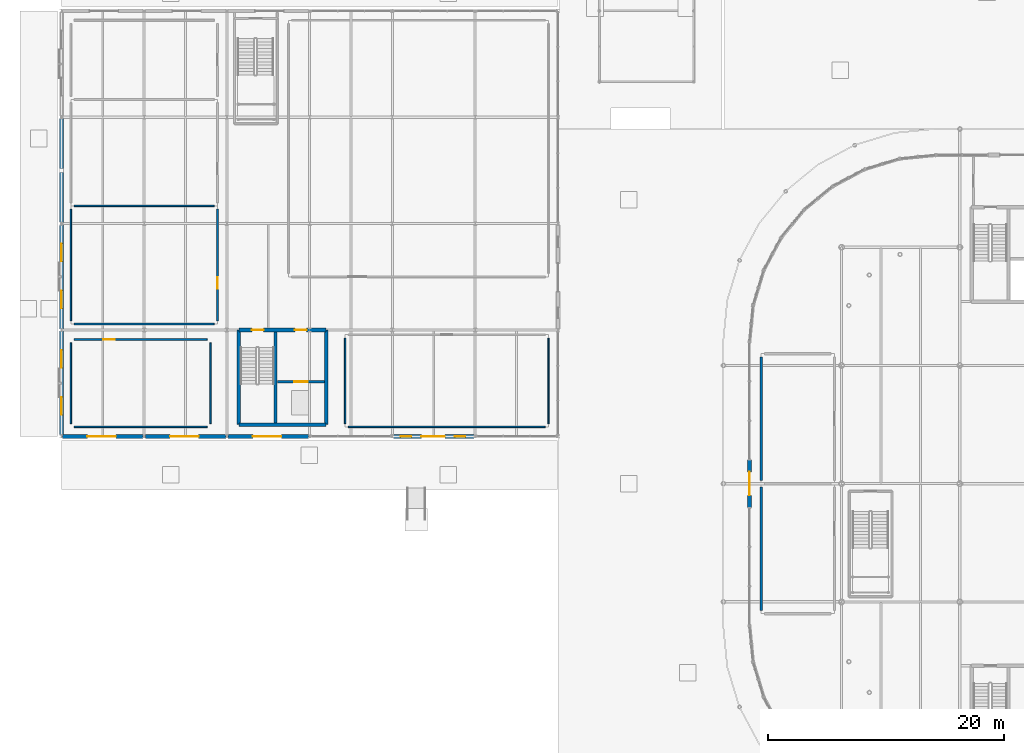
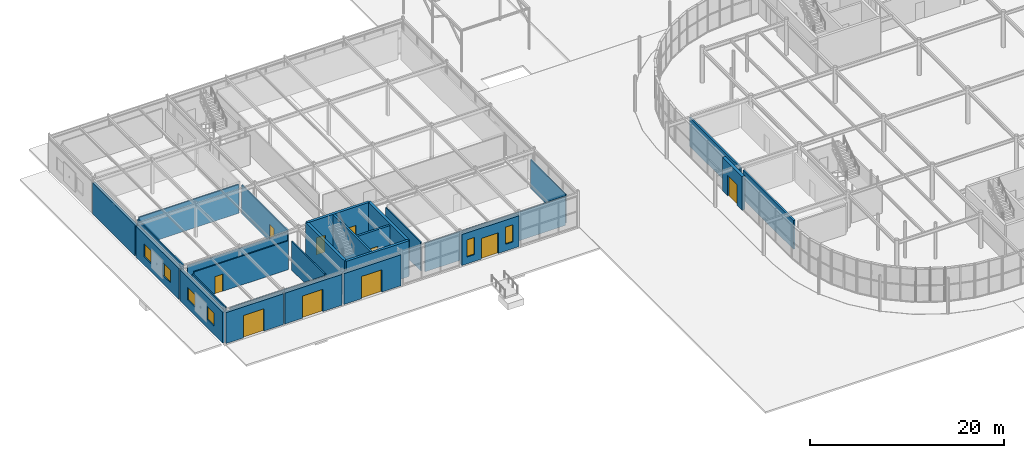
# One storey, part 86 of 119: 27 walls, 10 doors, 6 windows, 16 openings.
"""IFC4 building model written with IfcOpenShell, lengths in metres."""

from ifc_helpers import new_model, si_unit, derived_unit, direction, frame, frame_2d, origin, place, context, subcontext, project, spatial, rectangle, extrude, material, layer, layer_set, type_object, element, fill, save


model = new_model("IFC4")

# Units and contexts
model_context = context("Model", 3, precision=1e-05, world=origin(), true_north=direction((0.0, 1.0)))
body_context = subcontext(model_context, "Body", "Model", "MODEL_VIEW")
ifc_project = project(units=[si_unit("LENGTHUNIT", "METRE"), si_unit("AREAUNIT", "SQUARE_METRE"), si_unit("VOLUMEUNIT", "CUBIC_METRE"), si_unit("PLANEANGLEUNIT", "RADIAN"), si_unit("MASSUNIT", "GRAM", prefix="KILO"), derived_unit("THERMALTRANSMITTANCEUNIT", [(si_unit("POWERUNIT", "WATT"), 1), (si_unit("LENGTHUNIT", "METRE"), -2), (si_unit("THERMODYNAMICTEMPERATUREUNIT", "KELVIN"), -1)])], contexts=[model_context])

# Site, building, storey
site_placement = place(None, origin())
site = spatial("IfcSite", under=ifc_project, at=site_placement, CompositionType="ELEMENT")
building_placement = place(site_placement, origin())
building = spatial("IfcBuilding", under=site, at=building_placement, Name="Cinnabar Yard Market Hall", CompositionType="ELEMENT")
storey_placement = place(building_placement, origin())
storey = spatial("IfcBuildingStorey", under=building, at=storey_placement, Name="L00", CompositionType="ELEMENT", Elevation=0.0)

# Walls
ifc_material_1 = material(Name="Acoustic steel-stud plasterboard", Category="steel")
ifc_layer_1 = layer(ifc_material_1, 0.1201171875)
ifc_layer_set_1 = layer_set([ifc_layer_1], Name="Acoustic steel-stud plasterboard")
wall_type_1 = type_object("IfcWallType", Name="WL-PT120", PredefinedType="PARTITIONING", material=ifc_layer_set_1)
wall_1_placement = place(storey_placement, frame((34.280029296875, 48.800048828125, 0.0), z_axis=(0.0, 0.0, 1.0), x_axis=(1.0, 0.0, 0.0)))
element("IfcWall", 1, at=wall_1_placement, inside=storey, type_object=wall_type_1, Name="Partition Charbagh Courtyard Cafe south", PredefinedType="PARTITIONING", context=body_context, shape_type="SweptSolid", body=[
    extrude(rectangle(XDim=16.639892578125, YDim=0.1201171875, at=frame_2d((8.31982421875, 0.0), x_axis=(1.0, 0.0))), origin(), (0.0, 0.0, 1.0), 3.6201171875),
])
for number, where, z_axis, x_axis, name in (
    (2, (51.199951171875, 49.080078125, 0.0), (0.0, 0.0, 1.0), (0.0, 1.0, 0.0), "Partition Charbagh Courtyard Cafe east"),
    (3, (34.0, 56.320068359375, 0.0), (0.0, 0.0, 1.0), (0.0, -1.0, 0.0), "Partition Charbagh Courtyard Cafe west"),
):
    element("IfcWall", number, at=place(storey_placement, frame(where, z_axis=z_axis, x_axis=x_axis)), inside=storey, type_object=wall_type_1, Name=name, PredefinedType="PARTITIONING", context=body_context, shape_type="SweptSolid", body=[
        extrude(rectangle(XDim=7.239990234375, YDim=0.1201171875, at=frame_2d((3.6201171875, 0.0), x_axis=(1.0, 0.0))), origin(), (0.0, 0.0, 1.0), 3.6201171875),
    ])
ifc_material_2 = material(Name="Moisture-resistant tiled service wall")
ifc_layer_2 = layer(ifc_material_2, 0.139892578125)
ifc_layer_set_2 = layer_set([ifc_layer_2], Name="Moisture-resistant tiled service wall")
wall_type_2 = type_object("IfcWallType", Name="WL-PT140", PredefinedType="PLUMBINGWALL", material=ifc_layer_set_2)
wall_2_placement = place(storey_placement, frame((11.080078125, 57.5, 0.0), z_axis=(0.0, 0.0, 1.0), x_axis=(1.0, 0.0, 0.0)))
element("IfcWall", 4, at=wall_2_placement, inside=storey, type_object=wall_type_2, Name="Partition Commercial Kitchen West 01 south", PredefinedType="PLUMBINGWALL", context=body_context, shape_type="SweptSolid", body=[
    extrude(rectangle(XDim=11.83984375, YDim=0.139892578125, at=frame_2d((5.919921875, 0.0), x_axis=(1.0, 0.0))), origin(), (0.0, 0.0, 1.0), 3.6201171875),
])

# Wall, opening, door
wall_3_placement = place(storey_placement, frame((23.199951171875, 57.780029296875, 0.0), z_axis=(0.0, 0.0, 1.0), x_axis=(0.0, 1.0, 0.0)))
wall_3 = element("IfcWall", 5, at=wall_3_placement, inside=storey, type_object=wall_type_2, Name="Partition Commercial Kitchen West 01 east", PredefinedType="PLUMBINGWALL", context=body_context, shape_type="SweptSolid", body=[
    extrude(rectangle(XDim=9.43994140625, YDim=0.139892578125, at=frame_2d((4.719970703125, 0.0), x_axis=(1.0, 0.0))), origin(), (0.0, 0.0, 1.0), 3.6201171875),
])
opening_1_placement = place(wall_3_placement, frame((2.716796875, 0.0, 0.0)))
opening_1 = element("IfcOpeningElement", 6, at=opening_1_placement, cuts=wall_3, Name="Opening ID-126", PredefinedType="OPENING", context=body_context, shape_type="SweptSolid", body=[
    extrude(rectangle(XDim=0.949951171875, YDim=2.14990234375, at=frame_2d((0.47509765625, 1.074951171875), x_axis=(1.0, 0.0))), frame((0.0, 0.079833984375, 0.0), z_axis=(0.0, -1.0, 0.0), x_axis=(1.0, 0.0, 0.0)), (0.0, 0.0, 1.0), 0.159912109375),
])
ifc_material_3 = material(Name="Solid-core spotted gum timber", Category="wood")
door_type_1 = type_object("IfcDoorType", Name="DR-D06", OperationType="NOTDEFINED", PredefinedType="DOOR", material=ifc_material_3)
door_1_placement = place(opening_1_placement, origin())
door_1 = element("IfcDoor", 7, at=door_1_placement, inside=storey, type_object=door_type_1, Name="Interior Door ID-126", OperationType="SINGLE_SWING_LEFT", OverallHeight=2.14990234375, OverallWidth=0.949951171875, PredefinedType="DOOR", context=body_context, shape_type="SweptSolid", body=[
    extrude(rectangle(XDim=0.949951171875, YDim=2.14990234375, at=frame_2d((0.47509765625, 1.074951171875), x_axis=(1.0, 0.0))), frame((0.0, 0.02490234375, 0.0), z_axis=(0.0, -1.0, 0.0), x_axis=(1.0, 0.0, 0.0)), (0.0, 0.0, 1.0), 0.050048828125),
])
fill(opening_1, door_1)

# Walls
wall_4_placement = place(storey_placement, frame((22.919921875, 67.5, 0.0), z_axis=(0.0, 0.0, 1.0), x_axis=(-1.0, 0.0, 0.0)))
element("IfcWall", 8, at=wall_4_placement, inside=storey, type_object=wall_type_2, Name="Partition Commercial Kitchen West 01 north", PredefinedType="PLUMBINGWALL", context=body_context, shape_type="SweptSolid", body=[
    extrude(rectangle(XDim=11.83984375, YDim=0.139892578125, at=frame_2d((5.919921875, 0.0), x_axis=(1.0, 0.0))), origin(), (0.0, 0.0, 1.0), 3.6201171875),
])
wall_5_placement = place(storey_placement, frame((10.800048828125, 67.219970703125, 0.0), z_axis=(0.0, 0.0, 1.0), x_axis=(0.0, -1.0, 0.0)))
element("IfcWall", 9, at=wall_5_placement, inside=storey, type_object=wall_type_2, Name="Partition Commercial Kitchen West 01 west", PredefinedType="PLUMBINGWALL", context=body_context, shape_type="SweptSolid", body=[
    extrude(rectangle(XDim=9.43994140625, YDim=0.139892578125, at=frame_2d((4.719970703125, 0.0), x_axis=(1.0, 0.0))), origin(), (0.0, 0.0, 1.0), 3.6201171875),
])
wall_6_placement = place(storey_placement, frame((11.080078125, 48.800048828125, 0.0), z_axis=(0.0, 0.0, 1.0), x_axis=(1.0, 0.0, 0.0)))
element("IfcWall", 10, at=wall_6_placement, inside=storey, type_object=wall_type_2, Name="Partition Pavilion Ground Public and Accessible WC south", PredefinedType="PLUMBINGWALL", context=body_context, shape_type="SweptSolid", body=[
    extrude(rectangle(XDim=11.239990234375, YDim=0.139892578125, at=frame_2d((5.6201171875, 0.0), x_axis=(1.0, 0.0))), origin(), (0.0, 0.0, 1.0), 3.6201171875),
])
wall_7_placement = place(storey_placement, frame((22.60009765625, 49.080078125, 0.0), z_axis=(0.0, 0.0, 1.0), x_axis=(0.0, 1.0, 0.0)))
element("IfcWall", 11, at=wall_7_placement, inside=storey, type_object=wall_type_2, Name="Partition Pavilion Ground Public and Accessible WC east", PredefinedType="PLUMBINGWALL", context=body_context, shape_type="SweptSolid", body=[
    extrude(rectangle(XDim=6.83984375, YDim=0.139892578125, at=frame_2d((3.419921875, 0.0), x_axis=(1.0, 0.0))), origin(), (0.0, 0.0, 1.0), 3.6201171875),
])

# Wall, opening, door
wall_8_placement = place(storey_placement, frame((22.320068359375, 56.199951171875, 0.0), z_axis=(0.0, 0.0, 1.0), x_axis=(-1.0, 0.0, 0.0)))
wall_8 = element("IfcWall", 12, at=wall_8_placement, inside=storey, type_object=wall_type_2, Name="Partition Pavilion Ground Public and Accessible WC north", PredefinedType="PLUMBINGWALL", context=body_context, shape_type="SweptSolid", body=[
    extrude(rectangle(XDim=11.239990234375, YDim=0.139892578125, at=frame_2d((5.6201171875, 0.0), x_axis=(1.0, 0.0))), origin(), (0.0, 0.0, 1.0), 3.6201171875),
])
opening_2_placement = place(wall_8_placement, frame((7.8203125, 0.0, 0.0)))
opening_2 = element("IfcOpeningElement", 13, at=opening_2_placement, cuts=wall_8, Name="Opening ID-130", PredefinedType="OPENING", context=body_context, shape_type="SweptSolid", body=[
    extrude(rectangle(XDim=0.949951171875, YDim=2.14990234375, at=frame_2d((0.47509765625, 1.074951171875), x_axis=(1.0, 0.0))), frame((0.0, 0.079833984375, 0.0), z_axis=(0.0, -1.0, 0.0), x_axis=(1.0, 0.0, 0.0)), (0.0, 0.0, 1.0), 0.159912109375),
])
door_2_placement = place(opening_2_placement, origin())
door_2 = element("IfcDoor", 14, at=door_2_placement, inside=storey, type_object=door_type_1, Name="Interior Door ID-130", OperationType="SINGLE_SWING_LEFT", OverallHeight=2.14990234375, OverallWidth=0.949951171875, PredefinedType="DOOR", context=body_context, shape_type="SweptSolid", body=[
    extrude(rectangle(XDim=0.949951171875, YDim=2.14990234375, at=frame_2d((0.47509765625, 1.074951171875), x_axis=(1.0, 0.0))), frame((0.0, 0.02490234375, 0.0), z_axis=(0.0, -1.0, 0.0), x_axis=(1.0, 0.0, 0.0)), (0.0, 0.0, 1.0), 0.050048828125),
])
fill(opening_2, door_2)

# Walls
wall_9_placement = place(storey_placement, frame((10.800048828125, 55.919921875, 0.0), z_axis=(0.0, 0.0, 1.0), x_axis=(0.0, -1.0, 0.0)))
element("IfcWall", 15, at=wall_9_placement, inside=storey, type_object=wall_type_2, Name="Partition Pavilion Ground Public and Accessible WC west", PredefinedType="PLUMBINGWALL", context=body_context, shape_type="SweptSolid", body=[
    extrude(rectangle(XDim=6.83984375, YDim=0.139892578125, at=frame_2d((3.419921875, 0.0), x_axis=(1.0, 0.0))), origin(), (0.0, 0.0, 1.0), 3.6201171875),
])
ifc_material_4 = material(Name="Demountable timber-framed stall partition", Category="wood")
ifc_layer_3 = layer(ifc_material_4, 0.199951171875)
ifc_layer_set_3 = layer_set([ifc_layer_3], Name="Demountable timber-framed stall partition")
wall_type_3 = type_object("IfcWallType", Name="WL-PT200", PredefinedType="MOVABLE", material=ifc_layer_set_3)
for number, where, z_axis, x_axis, name in (
    (16, (69.199951171875, 43.719970703125, 0.0), (0.0, 0.0, 1.0), (0.0, -1.0, 0.0), "Partition Smallgoods and Olive Stall 09 west"),
    (17, (69.199951171875, 54.719970703125, 0.0), (0.0, 0.0, 1.0), (0.0, -1.0, 0.0), "Partition Confectionery and Coffee Stall 10 west"),
):
    element("IfcWall", number, at=place(storey_placement, frame(where, z_axis=z_axis, x_axis=x_axis)), inside=storey, type_object=wall_type_3, Name=name, PredefinedType="MOVABLE", context=body_context, shape_type="SweptSolid", body=[
        extrude(rectangle(XDim=10.43994140625, YDim=0.199951171875, at=frame_2d((5.219970703125, 0.0), x_axis=(1.0, 0.0))), origin(), (0.0, 0.0, 1.0), 3.6201171875),
    ])
ifc_material_5 = material(Name="Concrete 40 MPa", Category="concrete")
ifc_layer_4 = layer(ifc_material_5, 0.300048828125)
ifc_layer_set_4 = layer_set([ifc_layer_4], Name="Concrete 40 MPa")
wall_type_4 = type_object("IfcWallType", Name="WL-W-CORE", PredefinedType="SHEAR", material=ifc_layer_set_4)
for number, where, z_axis, x_axis, name in (
    (18, (25.0, 57.0, 0.0), (0.0, 0.0, 1.0), (0.0, -1.0, 0.0), "Core C4 West Shear Wall L00"),
    (19, (32.39990234375, 49.0, 0.0), (0.0, 0.0, 1.0), (0.0, 1.0, 0.0), "Core C4 East Shear Wall L00"),
):
    element("IfcWall", number, at=place(storey_placement, frame(where, z_axis=z_axis, x_axis=x_axis)), inside=storey, type_object=wall_type_4, Name=name, PredefinedType="SHEAR", context=body_context, shape_type="SweptSolid", body=[
        extrude(rectangle(XDim=8.0, YDim=0.300048828125, at=frame_2d((4.0, 0.0), x_axis=(1.0, 0.0))), origin(), (0.0, 0.0, 1.0), 4.5),
    ])
wall_10_placement = place(storey_placement, frame((25.0, 49.0, 0.0), z_axis=(0.0, 0.0, 1.0), x_axis=(1.0, 0.0, 0.0)))
element("IfcWall", 20, at=wall_10_placement, inside=storey, type_object=wall_type_4, Name="Core C4 South Shear Wall L00", PredefinedType="SHEAR", context=body_context, shape_type="SweptSolid", body=[
    extrude(rectangle(XDim=7.39990234375, YDim=0.300048828125, at=frame_2d((3.699951171875, 0.0), x_axis=(1.0, 0.0))), origin(), (0.0, 0.0, 1.0), 4.5),
])

# Wall, openings, doors
wall_11_placement = place(storey_placement, frame((32.39990234375, 57.0, 0.0), z_axis=(0.0, 0.0, 1.0), x_axis=(-1.0, 0.0, 0.0)))
wall_11 = element("IfcWall", 21, at=wall_11_placement, inside=storey, type_object=wall_type_4, Name="Core C4 North Shear Wall L00", PredefinedType="SHEAR", context=body_context, shape_type="SweptSolid", body=[
    extrude(rectangle(XDim=7.39990234375, YDim=0.300048828125, at=frame_2d((3.699951171875, 0.0), x_axis=(1.0, 0.0))), origin(), (0.0, 0.0, 1.0), 4.5),
])
opening_3_placement = place(wall_11_placement, frame((1.64990234375, 0.0, 0.0)))
opening_3 = element("IfcOpeningElement", 22, at=opening_3_placement, cuts=wall_11, Name="Opening CD-025", PredefinedType="OPENING", context=body_context, shape_type="SweptSolid", body=[
    extrude(rectangle(XDim=1.0, YDim=2.14990234375, at=frame_2d((0.5, 1.074951171875), x_axis=(1.0, 0.0))), frame((0.0, 0.159912109375, 0.0), z_axis=(0.0, -1.0, 0.0), x_axis=(1.0, 0.0, 0.0)), (0.0, 0.0, 1.0), 0.320068359375),
])
opening_4_placement = place(wall_11_placement, frame((5.300048828125, 0.0, 0.0)))
opening_4 = element("IfcOpeningElement", 23, at=opening_4_placement, cuts=wall_11, Name="Opening CD-026", PredefinedType="OPENING", context=body_context, shape_type="SweptSolid", body=[
    extrude(rectangle(XDim=1.0, YDim=2.14990234375, at=frame_2d((0.5, 1.074951171875), x_axis=(1.0, 0.0))), frame((0.0, 0.159912109375, 0.0), z_axis=(0.0, -1.0, 0.0), x_axis=(1.0, 0.0, 0.0)), (0.0, 0.0, 1.0), 0.320068359375),
])
door_type_2 = type_object("IfcDoorType", Name="DR-D05", OperationType="NOTDEFINED", PredefinedType="DOOR", material=ifc_material_3)
door_3_placement = place(opening_3_placement, origin())
door_3 = element("IfcDoor", 24, at=door_3_placement, inside=storey, type_object=door_type_2, Name="Core Door CD-025", OperationType="SINGLE_SWING_RIGHT", OverallHeight=2.14990234375, OverallWidth=1.0, PredefinedType="DOOR", context=body_context, shape_type="SweptSolid", body=[
    extrude(rectangle(XDim=1.0, YDim=2.14990234375, at=frame_2d((0.5, 1.074951171875), x_axis=(1.0, 0.0))), frame((0.0, 0.02490234375, 0.0), z_axis=(0.0, -1.0, 0.0), x_axis=(1.0, 0.0, 0.0)), (0.0, 0.0, 1.0), 0.050048828125),
])
fill(opening_3, door_3)
door_4_placement = place(opening_4_placement, origin())
door_4 = element("IfcDoor", 25, at=door_4_placement, inside=storey, type_object=door_type_2, Name="Core Door CD-026", OperationType="SINGLE_SWING_LEFT", OverallHeight=2.14990234375, OverallWidth=1.0, PredefinedType="DOOR", context=body_context, shape_type="SweptSolid", body=[
    extrude(rectangle(XDim=1.0, YDim=2.14990234375, at=frame_2d((0.5, 1.074951171875), x_axis=(1.0, 0.0))), frame((0.0, 0.02490234375, 0.0), z_axis=(0.0, -1.0, 0.0), x_axis=(1.0, 0.0, 0.0)), (0.0, 0.0, 1.0), 0.050048828125),
])
fill(opening_4, door_4)

# Wall, opening, door
ifc_material_6 = material(Name="Red sandstone ashlar over Concrete 32 MPa", Category="masonry")
ifc_layer_5 = layer(ifc_material_6, 0.35009765625)
ifc_layer_set_5 = layer_set([ifc_layer_5], Name="Red sandstone ashlar over Concrete 32 MPa")
wall_type_5 = type_object("IfcWallType", Name="WL-W-EXT1", PredefinedType="SOLIDWALL", material=ifc_layer_set_5)
wall_12_placement = place(storey_placement, frame((68.199951171875, 46.0, 0.0), z_axis=(0.0, 0.0, 1.0), x_axis=(0.0, -1.0, 0.0)))
wall_12 = element("IfcWall", 26, at=wall_12_placement, inside=storey, type_object=wall_type_5, Name="Market Hall West Portal", PredefinedType="SOLIDWALL", context=body_context, shape_type="SweptSolid", body=[
    extrude(rectangle(XDim=4.0, YDim=0.35009765625, at=frame_2d((2.0, 0.0), x_axis=(1.0, 0.0))), origin(), (0.0, 0.0, 1.0), 4.239990234375),
])
opening_5_placement = place(wall_12_placement, frame((1.0, 0.0, 0.0)))
opening_5 = element("IfcOpeningElement", 27, at=opening_5_placement, cuts=wall_12, Name="Opening ED-011", PredefinedType="OPENING", context=body_context, shape_type="SweptSolid", body=[
    extrude(rectangle(XDim=2.0, YDim=2.60009765625, at=frame_2d((1.0, 1.300048828125), x_axis=(1.0, 0.0))), frame((0.0, 0.18505859375, 0.0), z_axis=(0.0, -1.0, 0.0), x_axis=(1.0, 0.0, 0.0)), (0.0, 0.0, 1.0), 0.3701171875),
])
ifc_material_7 = material(Name="Anodised bronze aluminium and toughened glass", Category="aluminium")
door_type_3 = type_object("IfcDoorType", Name="DR-D01", OperationType="NOTDEFINED", PredefinedType="DOOR", material=ifc_material_7)
door_5_placement = place(opening_5_placement, origin())
door_5 = element("IfcDoor", 28, at=door_5_placement, inside=storey, type_object=door_type_3, Name="Door ED-011", OperationType="DOUBLE_SWING_LEFT", OverallHeight=2.60009765625, OverallWidth=2.0, PredefinedType="DOOR", context=body_context, shape_type="SweptSolid", body=[
    extrude(rectangle(XDim=2.0, YDim=2.60009765625, at=frame_2d((1.0, 1.300048828125), x_axis=(1.0, 0.0))), frame((0.0, 0.02490234375, 0.0), z_axis=(0.0, -1.0, 0.0), x_axis=(1.0, 0.0, 0.0)), (0.0, 0.0, 1.0), 0.050048828125),
])
fill(opening_5, door_5)

ifc_material_8 = material(Name="Cream limestone and Concrete 32 MPa", Category="masonry")
ifc_layer_6 = layer(ifc_material_8, 0.320068359375)
ifc_layer_set_6 = layer_set([ifc_layer_6], Name="Cream limestone and Concrete 32 MPa")
wall_type_6 = type_object("IfcWallType", Name="WL-W-EXT2", PredefinedType="SOLIDWALL", material=ifc_layer_set_6)
wall_13_placement = place(storey_placement, frame((10.10009765625, 48.0, 0.0), z_axis=(0.0, 0.0, 1.0), x_axis=(1.0, 0.0, 0.0)))
wall_13 = element("IfcWall", 29, at=wall_13_placement, inside=storey, type_object=wall_type_6, Name="Pavilion South Wall L00 Bay 1", PredefinedType="SOLIDWALL", context=body_context, shape_type="SweptSolid", body=[
    extrude(rectangle(XDim=6.7998046875, YDim=0.320068359375, at=frame_2d((3.39990234375, 0.0), x_axis=(1.0, 0.0))), origin(), (0.0, 0.0, 1.0), 3.8798828125),
])
opening_6_placement = place(wall_13_placement, frame((2.10009765625, 0.0, 0.0)))
opening_6 = element("IfcOpeningElement", 30, at=opening_6_placement, cuts=wall_13, Name="Opening ED-013", PredefinedType="OPENING", context=body_context, shape_type="SweptSolid", body=[
    extrude(rectangle(XDim=2.39990234375, YDim=2.800048828125, at=frame_2d((1.199951171875, 1.39990234375), x_axis=(1.0, 0.0))), frame((0.0, 0.169921875, 0.0), z_axis=(0.0, -1.0, 0.0), x_axis=(1.0, 0.0, 0.0)), (0.0, 0.0, 1.0), 0.340087890625),
])
door_type_4 = type_object("IfcDoorType", Name="DR-D02", OperationType="NOTDEFINED", PredefinedType="DOOR", material=ifc_material_7)
door_6_placement = place(opening_6_placement, origin())
door_6 = element("IfcDoor", 31, at=door_6_placement, inside=storey, type_object=door_type_4, Name="Door ED-013", OperationType="DOUBLE_SWING_LEFT", OverallHeight=2.800048828125, OverallWidth=2.39990234375, PredefinedType="DOOR", context=body_context, shape_type="SweptSolid", body=[
    extrude(rectangle(XDim=2.39990234375, YDim=2.800048828125, at=frame_2d((1.199951171875, 1.39990234375), x_axis=(1.0, 0.0))), frame((0.0, 0.02490234375, 0.0), z_axis=(0.0, -1.0, 0.0), x_axis=(1.0, 0.0, 0.0)), (0.0, 0.0, 1.0), 0.050048828125),
])
fill(opening_6, door_6)

wall_14_placement = place(storey_placement, frame((17.10009765625, 48.0, 0.0), z_axis=(0.0, 0.0, 1.0), x_axis=(1.0, 0.0, 0.0)))
wall_14 = element("IfcWall", 32, at=wall_14_placement, inside=storey, type_object=wall_type_6, Name="Pavilion South Wall L00 Bay 2", PredefinedType="SOLIDWALL", context=body_context, shape_type="SweptSolid", body=[
    extrude(rectangle(XDim=6.7998046875, YDim=0.320068359375, at=frame_2d((3.39990234375, 0.0), x_axis=(1.0, 0.0))), origin(), (0.0, 0.0, 1.0), 3.8798828125),
])
opening_7_placement = place(wall_14_placement, frame((2.10009765625, 0.0, 0.0)))
opening_7 = element("IfcOpeningElement", 33, at=opening_7_placement, cuts=wall_14, Name="Opening ED-015", PredefinedType="OPENING", context=body_context, shape_type="SweptSolid", body=[
    extrude(rectangle(XDim=2.39990234375, YDim=2.800048828125, at=frame_2d((1.199951171875, 1.39990234375), x_axis=(1.0, 0.0))), frame((0.0, 0.169921875, 0.0), z_axis=(0.0, -1.0, 0.0), x_axis=(1.0, 0.0, 0.0)), (0.0, 0.0, 1.0), 0.340087890625),
])
door_7_placement = place(opening_7_placement, origin())
door_7 = element("IfcDoor", 34, at=door_7_placement, inside=storey, type_object=door_type_4, Name="Door ED-015", OperationType="DOUBLE_SWING_LEFT", OverallHeight=2.800048828125, OverallWidth=2.39990234375, PredefinedType="DOOR", context=body_context, shape_type="SweptSolid", body=[
    extrude(rectangle(XDim=2.39990234375, YDim=2.800048828125, at=frame_2d((1.199951171875, 1.39990234375), x_axis=(1.0, 0.0))), frame((0.0, 0.02490234375, 0.0), z_axis=(0.0, -1.0, 0.0), x_axis=(1.0, 0.0, 0.0)), (0.0, 0.0, 1.0), 0.050048828125),
])
fill(opening_7, door_7)

wall_15_placement = place(storey_placement, frame((24.10009765625, 48.0, 0.0), z_axis=(0.0, 0.0, 1.0), x_axis=(1.0, 0.0, 0.0)))
wall_15 = element("IfcWall", 35, at=wall_15_placement, inside=storey, type_object=wall_type_6, Name="Pavilion South Wall L00 Bay 3", PredefinedType="SOLIDWALL", context=body_context, shape_type="SweptSolid", body=[
    extrude(rectangle(XDim=6.7998046875, YDim=0.320068359375, at=frame_2d((3.39990234375, 0.0), x_axis=(1.0, 0.0))), origin(), (0.0, 0.0, 1.0), 3.8798828125),
])
opening_8_placement = place(wall_15_placement, frame((2.10009765625, 0.0, 0.0)))
opening_8 = element("IfcOpeningElement", 36, at=opening_8_placement, cuts=wall_15, Name="Opening ED-017", PredefinedType="OPENING", context=body_context, shape_type="SweptSolid", body=[
    extrude(rectangle(XDim=2.39990234375, YDim=2.800048828125, at=frame_2d((1.199951171875, 1.39990234375), x_axis=(1.0, 0.0))), frame((0.0, 0.169921875, 0.0), z_axis=(0.0, -1.0, 0.0), x_axis=(1.0, 0.0, 0.0)), (0.0, 0.0, 1.0), 0.340087890625),
])
door_8_placement = place(opening_8_placement, origin())
door_8 = element("IfcDoor", 37, at=door_8_placement, inside=storey, type_object=door_type_4, Name="Door ED-017", OperationType="DOUBLE_SWING_LEFT", OverallHeight=2.800048828125, OverallWidth=2.39990234375, PredefinedType="DOOR", context=body_context, shape_type="SweptSolid", body=[
    extrude(rectangle(XDim=2.39990234375, YDim=2.800048828125, at=frame_2d((1.199951171875, 1.39990234375), x_axis=(1.0, 0.0))), frame((0.0, 0.02490234375, 0.0), z_axis=(0.0, -1.0, 0.0), x_axis=(1.0, 0.0, 0.0)), (0.0, 0.0, 1.0), 0.050048828125),
])
fill(opening_8, door_8)

# Wall, openings, door, windows
wall_16_placement = place(storey_placement, frame((38.10009765625, 48.0, 0.0), z_axis=(0.0, 0.0, 1.0), x_axis=(1.0, 0.0, 0.0)))
wall_16 = element("IfcWall", 38, at=wall_16_placement, inside=storey, type_object=wall_type_6, Name="Pavilion South Portal L00 Bay 5", PredefinedType="SOLIDWALL", context=body_context, shape_type="SweptSolid", body=[
    extrude(rectangle(XDim=6.7998046875, YDim=0.320068359375, at=frame_2d((3.39990234375, 0.0), x_axis=(1.0, 0.0))), origin(), (0.0, 0.0, 1.0), 3.8798828125),
])
opening_9_placement = place(wall_16_placement, frame((2.340087890625, 0.0, 0.0)))
opening_9 = element("IfcOpeningElement", 39, at=opening_9_placement, cuts=wall_16, Name="Opening ED-019", PredefinedType="OPENING", context=body_context, shape_type="SweptSolid", body=[
    extrude(rectangle(XDim=2.0, YDim=2.60009765625, at=frame_2d((1.0, 1.300048828125), x_axis=(1.0, 0.0))), frame((0.0, 0.169921875, 0.0), z_axis=(0.0, -1.0, 0.0), x_axis=(1.0, 0.0, 0.0)), (0.0, 0.0, 1.0), 0.340087890625),
])
opening_10_placement = place(wall_16_placement, frame((0.60009765625, 0.0, 0.85009765625)))
opening_10 = element("IfcOpeningElement", 40, at=opening_10_placement, cuts=wall_16, Name="Opening W05", PredefinedType="OPENING", context=body_context, shape_type="SweptSolid", body=[
    extrude(rectangle(XDim=0.89990234375, YDim=2.14990234375, at=frame_2d((0.449951171875, 1.074951171875), x_axis=(1.0, 0.0))), frame((0.0, 0.169921875, 0.0), z_axis=(0.0, -1.0, 0.0), x_axis=(1.0, 0.0, 0.0)), (0.0, 0.0, 1.0), 0.340087890625),
])
opening_11_placement = place(wall_16_placement, frame((5.179931640625, 0.0, 0.85009765625)))
opening_11 = element("IfcOpeningElement", 41, at=opening_11_placement, cuts=wall_16, Name="Opening W05", PredefinedType="OPENING", context=body_context, shape_type="SweptSolid", body=[
    extrude(rectangle(XDim=0.89990234375, YDim=2.14990234375, at=frame_2d((0.449951171875, 1.074951171875), x_axis=(1.0, 0.0))), frame((0.0, 0.169921875, 0.0), z_axis=(0.0, -1.0, 0.0), x_axis=(1.0, 0.0, 0.0)), (0.0, 0.0, 1.0), 0.340087890625),
])
door_9_placement = place(opening_9_placement, origin())
door_9 = element("IfcDoor", 42, at=door_9_placement, inside=storey, type_object=door_type_3, Name="Door ED-019", OperationType="DOUBLE_SWING_LEFT", OverallHeight=2.60009765625, OverallWidth=2.0, PredefinedType="DOOR", context=body_context, shape_type="SweptSolid", body=[
    extrude(rectangle(XDim=2.0, YDim=2.60009765625, at=frame_2d((1.0, 1.300048828125), x_axis=(1.0, 0.0))), frame((0.0, 0.02490234375, 0.0), z_axis=(0.0, -1.0, 0.0), x_axis=(1.0, 0.0, 0.0)), (0.0, 0.0, 1.0), 0.050048828125),
])
fill(opening_9, door_9)
ifc_material_9 = material(Name="Narrow Mughal lancet glazing in bronze aluminium", Category="aluminium")
window_type_1 = type_object("IfcWindowType", Name="WN-W05", PartitioningType="SINGLE_PANEL", PredefinedType="WINDOW", material=ifc_material_9)
window_1_placement = place(opening_10_placement, origin())
window_1 = element("IfcWindow", 43, at=window_1_placement, inside=storey, type_object=window_type_1, Name="Window WN-V2S-L00-5A", OverallHeight=2.14990234375, OverallWidth=0.89990234375, PartitioningType="SINGLE_PANEL", PredefinedType="WINDOW", context=body_context, shape_type="SweptSolid", body=[
    extrude(rectangle(XDim=0.89990234375, YDim=2.14990234375, at=frame_2d((0.449951171875, 1.074951171875), x_axis=(1.0, 0.0))), frame((0.0, 0.030029296875, 0.0), z_axis=(0.0, -1.0, 0.0), x_axis=(1.0, 0.0, 0.0)), (0.0, 0.0, 1.0), 0.06005859375),
])
fill(opening_10, window_1)
window_2_placement = place(opening_11_placement, origin())
window_2 = element("IfcWindow", 44, at=window_2_placement, inside=storey, type_object=window_type_1, Name="Window WN-V2S-L00-5B", OverallHeight=2.14990234375, OverallWidth=0.89990234375, PartitioningType="SINGLE_PANEL", PredefinedType="WINDOW", context=body_context, shape_type="SweptSolid", body=[
    extrude(rectangle(XDim=0.89990234375, YDim=2.14990234375, at=frame_2d((0.449951171875, 1.074951171875), x_axis=(1.0, 0.0))), frame((0.0, 0.030029296875, 0.0), z_axis=(0.0, -1.0, 0.0), x_axis=(1.0, 0.0, 0.0)), (0.0, 0.0, 1.0), 0.06005859375),
])
fill(opening_11, window_2)

# Wall, openings, windows
wall_17_placement = place(storey_placement, frame((10.0, 56.89990234375, 0.0), z_axis=(0.0, 0.0, 1.0), x_axis=(0.0, -1.0, 0.0)))
wall_17 = element("IfcWall", 45, at=wall_17_placement, inside=storey, type_object=wall_type_6, Name="Pavilion West Wall L00 Bay 1", PredefinedType="SOLIDWALL", context=body_context, shape_type="SweptSolid", body=[
    extrude(rectangle(XDim=8.7998046875, YDim=0.320068359375, at=frame_2d((4.39990234375, 0.0), x_axis=(1.0, 0.0))), origin(), (0.0, 0.0, 1.0), 3.8798828125),
])
opening_12_placement = place(wall_17_placement, frame((1.60009765625, 0.0, 1.050048828125)))
opening_12 = element("IfcOpeningElement", 46, at=opening_12_placement, cuts=wall_17, Name="Opening W03", PredefinedType="OPENING", context=body_context, shape_type="SweptSolid", body=[
    extrude(rectangle(XDim=1.5, YDim=1.60009765625, at=frame_2d((0.75, 0.800048828125), x_axis=(1.0, 0.0))), frame((0.0, 0.169921875, 0.0), z_axis=(0.0, -1.0, 0.0), x_axis=(1.0, 0.0, 0.0)), (0.0, 0.0, 1.0), 0.340087890625),
])
opening_13_placement = place(wall_17_placement, frame((5.580078125, 0.0, 1.050048828125)))
opening_13 = element("IfcOpeningElement", 47, at=opening_13_placement, cuts=wall_17, Name="Opening W03", PredefinedType="OPENING", context=body_context, shape_type="SweptSolid", body=[
    extrude(rectangle(XDim=1.5, YDim=1.60009765625, at=frame_2d((0.75, 0.800048828125), x_axis=(1.0, 0.0))), frame((0.0, 0.169921875, 0.0), z_axis=(0.0, -1.0, 0.0), x_axis=(1.0, 0.0, 0.0)), (0.0, 0.0, 1.0), 0.340087890625),
])
ifc_material_10 = material(Name="Low-E double glazing in bronze aluminium", Category="aluminium")
window_type_2 = type_object("IfcWindowType", Name="WN-W03", PartitioningType="SINGLE_PANEL", PredefinedType="WINDOW", material=ifc_material_10)
window_3_placement = place(opening_12_placement, origin())
window_3 = element("IfcWindow", 48, at=window_3_placement, inside=storey, type_object=window_type_2, Name="Window WN-V2W-L00-1A", OverallHeight=1.60009765625, OverallWidth=1.5, PartitioningType="SINGLE_PANEL", PredefinedType="WINDOW", context=body_context, shape_type="SweptSolid", body=[
    extrude(rectangle(XDim=1.5, YDim=1.60009765625, at=frame_2d((0.75, 0.800048828125), x_axis=(1.0, 0.0))), frame((0.0, 0.030029296875, 0.0), z_axis=(0.0, -1.0, 0.0), x_axis=(1.0, 0.0, 0.0)), (0.0, 0.0, 1.0), 0.06005859375),
])
fill(opening_12, window_3)
window_4_placement = place(opening_13_placement, origin())
window_4 = element("IfcWindow", 49, at=window_4_placement, inside=storey, type_object=window_type_2, Name="Window WN-V2W-L00-1B", OverallHeight=1.60009765625, OverallWidth=1.5, PartitioningType="SINGLE_PANEL", PredefinedType="WINDOW", context=body_context, shape_type="SweptSolid", body=[
    extrude(rectangle(XDim=1.5, YDim=1.60009765625, at=frame_2d((0.75, 0.800048828125), x_axis=(1.0, 0.0))), frame((0.0, 0.030029296875, 0.0), z_axis=(0.0, -1.0, 0.0), x_axis=(1.0, 0.0, 0.0)), (0.0, 0.0, 1.0), 0.06005859375),
])
fill(opening_13, window_4)

wall_18_placement = place(storey_placement, frame((10.0, 65.89990234375, 0.0), z_axis=(0.0, 0.0, 1.0), x_axis=(0.0, -1.0, 0.0)))
wall_18 = element("IfcWall", 50, at=wall_18_placement, inside=storey, type_object=wall_type_6, Name="Pavilion West Wall L00 Bay 2", PredefinedType="SOLIDWALL", context=body_context, shape_type="SweptSolid", body=[
    extrude(rectangle(XDim=8.7998046875, YDim=0.320068359375, at=frame_2d((4.39990234375, 0.0), x_axis=(1.0, 0.0))), origin(), (0.0, 0.0, 1.0), 3.8798828125),
])
opening_14_placement = place(wall_18_placement, frame((1.60009765625, 0.0, 1.050048828125)))
opening_14 = element("IfcOpeningElement", 51, at=opening_14_placement, cuts=wall_18, Name="Opening W03", PredefinedType="OPENING", context=body_context, shape_type="SweptSolid", body=[
    extrude(rectangle(XDim=1.5, YDim=1.60009765625, at=frame_2d((0.75, 0.800048828125), x_axis=(1.0, 0.0))), frame((0.0, 0.169921875, 0.0), z_axis=(0.0, -1.0, 0.0), x_axis=(1.0, 0.0, 0.0)), (0.0, 0.0, 1.0), 0.340087890625),
])
opening_15_placement = place(wall_18_placement, frame((5.580078125, 0.0, 1.050048828125)))
opening_15 = element("IfcOpeningElement", 52, at=opening_15_placement, cuts=wall_18, Name="Opening W03", PredefinedType="OPENING", context=body_context, shape_type="SweptSolid", body=[
    extrude(rectangle(XDim=1.5, YDim=1.60009765625, at=frame_2d((0.75, 0.800048828125), x_axis=(1.0, 0.0))), frame((0.0, 0.169921875, 0.0), z_axis=(0.0, -1.0, 0.0), x_axis=(1.0, 0.0, 0.0)), (0.0, 0.0, 1.0), 0.340087890625),
])
window_5_placement = place(opening_14_placement, origin())
window_5 = element("IfcWindow", 53, at=window_5_placement, inside=storey, type_object=window_type_2, Name="Window WN-V2W-L00-2A", OverallHeight=1.60009765625, OverallWidth=1.5, PartitioningType="SINGLE_PANEL", PredefinedType="WINDOW", context=body_context, shape_type="SweptSolid", body=[
    extrude(rectangle(XDim=1.5, YDim=1.60009765625, at=frame_2d((0.75, 0.800048828125), x_axis=(1.0, 0.0))), frame((0.0, 0.030029296875, 0.0), z_axis=(0.0, -1.0, 0.0), x_axis=(1.0, 0.0, 0.0)), (0.0, 0.0, 1.0), 0.06005859375),
])
fill(opening_14, window_5)
window_6_placement = place(opening_15_placement, origin())
window_6 = element("IfcWindow", 54, at=window_6_placement, inside=storey, type_object=window_type_2, Name="Window WN-V2W-L00-2B", OverallHeight=1.60009765625, OverallWidth=1.5, PartitioningType="SINGLE_PANEL", PredefinedType="WINDOW", context=body_context, shape_type="SweptSolid", body=[
    extrude(rectangle(XDim=1.5, YDim=1.60009765625, at=frame_2d((0.75, 0.800048828125), x_axis=(1.0, 0.0))), frame((0.0, 0.030029296875, 0.0), z_axis=(0.0, -1.0, 0.0), x_axis=(1.0, 0.0, 0.0)), (0.0, 0.0, 1.0), 0.06005859375),
])
fill(opening_15, window_6)

# Walls
wall_19_placement = place(storey_placement, frame((10.0, 74.89990234375, 0.0), z_axis=(0.0, 0.0, 1.0), x_axis=(0.0, -1.0, 0.0)))
element("IfcWall", 55, at=wall_19_placement, inside=storey, type_object=wall_type_6, Name="Pavilion West Wall L00 Bay 3", PredefinedType="SOLIDWALL", context=body_context, shape_type="SweptSolid", body=[
    extrude(rectangle(XDim=8.7998046875, YDim=0.320068359375, at=frame_2d((4.39990234375, 0.0), x_axis=(1.0, 0.0))), origin(), (0.0, 0.0, 1.0), 3.8798828125),
])
ifc_layer_7 = layer(ifc_material_5, 0.25)
ifc_layer_set_7 = layer_set([ifc_layer_7], Name="Concrete 40 MPa")
wall_type_7 = type_object("IfcWallType", Name="WL-W-SHAFT", PredefinedType="SHEAR", material=ifc_layer_set_7)
wall_20_placement = place(storey_placement, frame((28.114990234375, 49.14990234375, 0.0), z_axis=(0.0, 0.0, 1.0), x_axis=(0.0, 1.0, 0.0)))
element("IfcWall", 56, at=wall_20_placement, inside=storey, type_object=wall_type_7, Name="Core C4 Shaft Divider L00", PredefinedType="SHEAR", context=body_context, shape_type="SweptSolid", body=[
    extrude(rectangle(XDim=7.7001953125, YDim=0.25, at=frame_2d((3.85009765625, 0.0), x_axis=(1.0, 0.0))), origin(), (0.0, 0.0, 1.0), 4.5),
])

# Wall, opening, door
wall_21_placement = place(storey_placement, frame((28.280029296875, 52.6201171875, 0.0), z_axis=(0.0, 0.0, 1.0), x_axis=(1.0, 0.0, 0.0)))
wall_21 = element("IfcWall", 57, at=wall_21_placement, inside=storey, type_object=wall_type_7, Name="Core C4 Lift Front Wall L00", PredefinedType="SHEAR", context=body_context, shape_type="SweptSolid", body=[
    extrude(rectangle(XDim=3.969970703125, YDim=0.25, at=frame_2d((1.98486328125, 0.0), x_axis=(1.0, 0.0))), origin(), (0.0, 0.0, 1.0), 4.239990234375),
])
opening_16_placement = place(wall_21_placement, frame((1.43505859375, 0.0, 0.0)))
opening_16 = element("IfcOpeningElement", 58, at=opening_16_placement, cuts=wall_21, Name="Opening LD-LP-03-L00", PredefinedType="OPENING", context=body_context, shape_type="SweptSolid", body=[
    extrude(rectangle(XDim=1.10009765625, YDim=2.14990234375, at=frame_2d((0.550048828125, 1.074951171875), x_axis=(1.0, 0.0))), frame((0.0, 0.135009765625, 0.0), z_axis=(0.0, -1.0, 0.0), x_axis=(1.0, 0.0, 0.0)), (0.0, 0.0, 1.0), 0.27001953125),
])
ifc_material_11 = material(Name="Brushed stainless steel landing door", Category="steel")
door_type_5 = type_object("IfcDoorType", Name="DR-LD01", OperationType="NOTDEFINED", PredefinedType="DOOR", material=ifc_material_11)
door_10_placement = place(opening_16_placement, origin())
door_10 = element("IfcDoor", 59, at=door_10_placement, inside=storey, type_object=door_type_5, Name="Lift Landing Door LD-LP-03-L00", OperationType="SLIDING_TO_LEFT", OverallHeight=2.14990234375, OverallWidth=1.10009765625, PredefinedType="DOOR", context=body_context, shape_type="SweptSolid", body=[
    extrude(rectangle(XDim=1.10009765625, YDim=2.14990234375, at=frame_2d((0.550048828125, 1.074951171875), x_axis=(1.0, 0.0))), frame((0.0, 0.02490234375, 0.0), z_axis=(0.0, -1.0, 0.0), x_axis=(1.0, 0.0, 0.0)), (0.0, 0.0, 1.0), 0.050048828125),
])
fill(opening_16, door_10)

save(model, "model.ifc")
